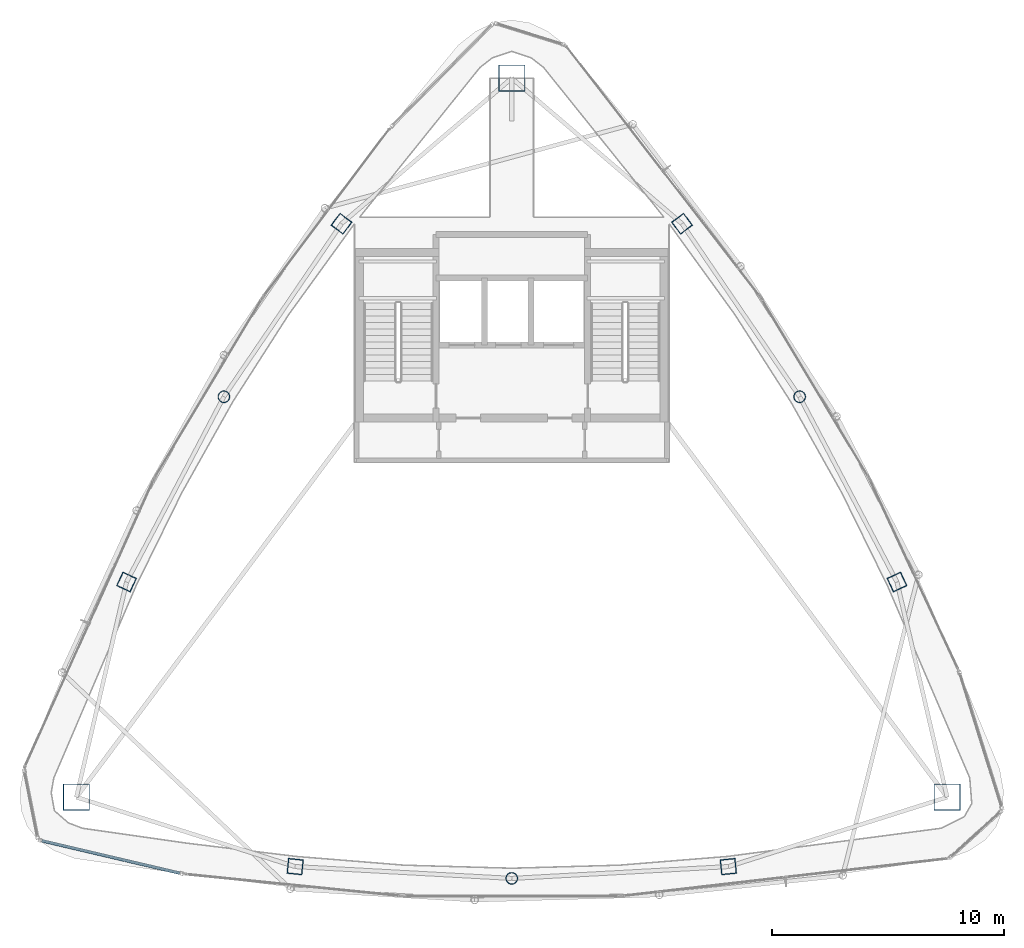
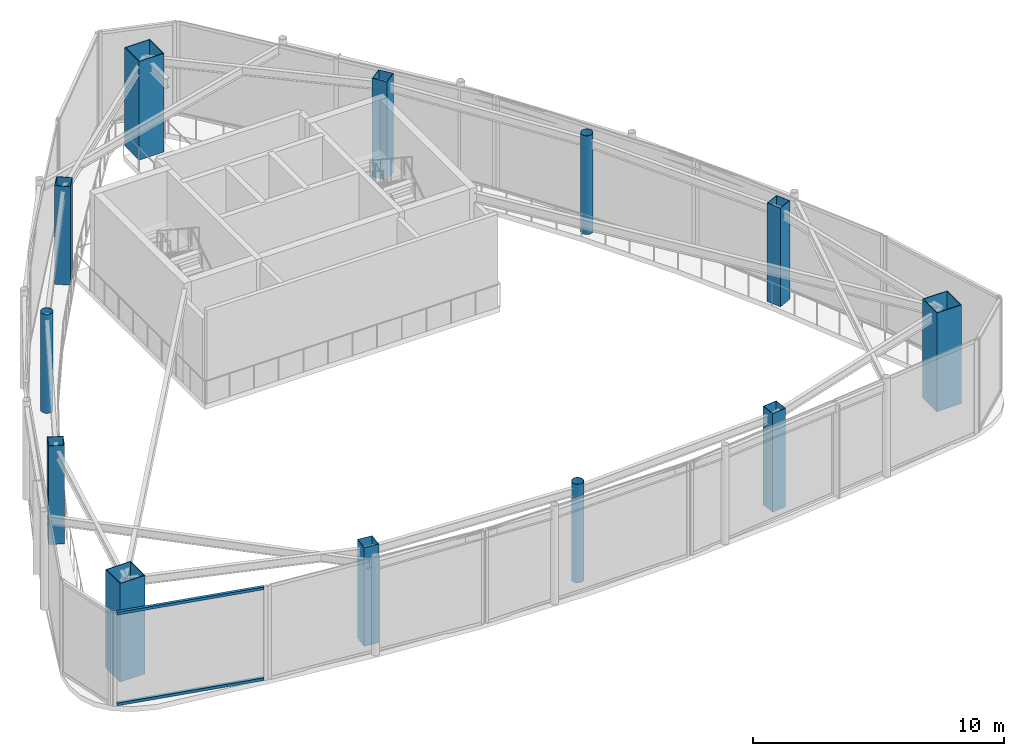
# One storey, part 1 of 19: 12 columns, 2 members, 1 element without a shape of its own.
"""IFC4 building model written with IfcOpenShell, lengths in metres."""

from ifc_helpers import new_model, si_unit, direction, frame, origin, origin_2d, place, context, subcontext, project, spatial, hollow_rectangle, hollow_circle, extrude, material, layer, layer_set, material_profile, profile_set, type_object, element, aggregate, save


model = new_model("IFC4")

# Units and contexts
model_context = context("Model", 3, precision=1e-05, world=origin(), true_north=direction((0.0, 1.0)))
body_context = subcontext(model_context, "Body", "Model", "MODEL_VIEW")
ifc_project = project(units=[si_unit("LENGTHUNIT", "METRE"), si_unit("AREAUNIT", "SQUARE_METRE"), si_unit("VOLUMEUNIT", "CUBIC_METRE"), si_unit("PLANEANGLEUNIT", "RADIAN"), si_unit("MASSUNIT", "GRAM", prefix="KILO")], contexts=[model_context])

# Site, building, storey
site_placement = place(None, origin())
site = spatial("IfcSite", under=ifc_project, at=site_placement, CompositionType="ELEMENT")
building_placement = place(site_placement, origin())
building = spatial("IfcBuilding", under=site, at=building_placement, Name="Orvanel Arch Residences", CompositionType="ELEMENT")
storey_placement = place(building_placement, frame((0.0, 0.0, 295.699951171875)))
storey = spatial("IfcBuildingStorey", under=building, at=storey_placement, Name="L83", CompositionType="ELEMENT", Elevation=295.699951171875)

# Columns
ifc_material_1 = material(Name="Structural steel AS/NZS 1163 C350L0 (Grade 350)", Category="steel")
ifc_material_profile_1 = material_profile(ifc_material_1, hollow_circle(Radius=0.25390625, WallThickness=0.01611328125, at=origin_2d()), Name="CHS508x16")
ifc_profile_set_1 = profile_set([ifc_material_profile_1], Name="Structural steel AS/NZS 1163 C350L0 (Grade 350)")
column_type_1 = type_object("IfcColumnType", Name="CC-508", PredefinedType="COLUMN", material=ifc_profile_set_1)
for number, where, z_axis, x_axis, name in (
    (1, (20.569091796875, 27.64111328125, 0.0), (0.0, 0.0, 1.0), (1.0, 0.0, 0.0), "L83 High-Rise Tube Column 02"),
    (2, (33.0, 6.843994140625, 0.0), (0.0, 0.0, 1.0), (1.0, 0.0, 0.0), "L83 High-Rise Tube Column 05"),
    (3, (45.430908203125, 27.64111328125, 0.0), (0.0, 0.0, 1.0), (1.0, 0.0, 0.0), "L83 High-Rise Tube Column 08"),
):
    element("IfcColumn", number, at=place(storey_placement, frame(where, z_axis=z_axis, x_axis=x_axis)), inside=storey, type_object=column_type_1, Name=name, PredefinedType="COLUMN", context=body_context, shape_type="SweptSolid", body=[
        extrude(hollow_circle(Radius=0.25390625, WallThickness=0.01611328125, at=origin_2d()), origin(), (0.0, 0.0, 1.0), 4.800048828125),
    ])
ifc_material_2 = material(Name="Structural steel AS/NZS 3678 Grade 450", Category="steel")
ifc_material_profile_2 = material_profile(ifc_material_2, hollow_rectangle(XDim=1.14990234375, YDim=1.14990234375, WallThickness=0.035888671875, at=origin_2d()), Name="BOX1150x1150x36")
ifc_profile_set_2 = profile_set([ifc_material_profile_2], Name="Structural steel AS/NZS 3678 Grade 450")
column_type_2 = type_object("IfcColumnType", Name="MC-1150", PredefinedType="COLUMN", material=ifc_profile_set_2)
for number, where, z_axis, x_axis, name in (
    (4, (33.0, 41.39794921875, 0.0), (0.0, 0.0, 1.0), (1.0, 0.0, 0.0), "L83 Corner Mega-Column 1"),
    (5, (14.198974609375, 10.35107421875, 0.0), (0.0, 0.0, 1.0), (1.0, 0.0, 0.0), "L83 Corner Mega-Column 2"),
    (6, (51.801025390625, 10.35107421875, 0.0), (0.0, 0.0, 1.0), (1.0, 0.0, 0.0), "L83 Corner Mega-Column 3"),
):
    element("IfcColumn", number, at=place(storey_placement, frame(where, z_axis=z_axis, x_axis=x_axis)), inside=storey, type_object=column_type_2, Name=name, PredefinedType="COLUMN", context=body_context, shape_type="SweptSolid", body=[
        extrude(hollow_rectangle(XDim=1.14990234375, YDim=1.14990234375, WallThickness=0.035888671875, at=origin_2d()), origin(), (0.0, 0.0, 1.0), 4.800048828125),
    ])
ifc_material_3 = material(Name="Structural steel AS/NZS 3678 Grade 350", Category="steel")
ifc_material_profile_3 = material_profile(ifc_material_3, hollow_rectangle(XDim=0.64990234375, YDim=0.64990234375, WallThickness=0.02197265625, at=origin_2d()), Name="BOX650x650x22")
ifc_profile_set_3 = profile_set([ifc_material_profile_3], Name="Structural steel AS/NZS 3678 Grade 350")
column_type_3 = type_object("IfcColumnType", Name="TC-650", PredefinedType="COLUMN", material=ifc_profile_set_3)
for number, where, z_axis, x_axis, name in (
    (7, (25.64794921875, 35.113037109375, 0.0), (0.0, 0.0, 1.0), (0.600420225326, 0.799684658487, 0.0), "L83 High-Rise Tube Column 01"),
    (8, (16.366943359375, 19.64208984375, 0.0), (0.0, 0.0, 1.0), (0.422618261741, 0.906307787037, 0.0), "L83 High-Rise Tube Column 03"),
    (9, (23.64892578125, 7.35498046875, 0.0), (0.0, 0.0, 1.0), (-0.994880708829, 0.101056297183, 0.0), "L83 High-Rise Tube Column 04"),
    (10, (42.35107421875, 7.35498046875, 0.0), (0.0, 0.0, 1.0), (0.994880708829, 0.101056297183, 0.0), "L83 High-Rise Tube Column 06"),
    (11, (49.633056640625, 19.64208984375, 0.0), (0.0, 0.0, 1.0), (-0.422618261741, 0.906307787037, 0.0), "L83 High-Rise Tube Column 07"),
    (12, (40.35205078125, 35.113037109375, 0.0), (0.0, 0.0, 1.0), (-0.600420225326, 0.799684658487, 0.0), "L83 High-Rise Tube Column 09"),
):
    element("IfcColumn", number, at=place(storey_placement, frame(where, z_axis=z_axis, x_axis=x_axis)), inside=storey, type_object=column_type_3, Name=name, PredefinedType="COLUMN", context=body_context, shape_type="SweptSolid", body=[
        extrude(hollow_rectangle(XDim=0.64990234375, YDim=0.64990234375, WallThickness=0.02197265625, at=origin_2d()), origin(), (0.0, 0.0, 1.0), 4.800048828125),
    ])

# Curtain wall, members
ifc_material_4 = material(Name="Bronze-anodised aluminium AA6063-T6", Category="aluminium")
ifc_layer = layer(ifc_material_4, 0.2099609375)
ifc_layer_set = layer_set([ifc_layer], Name="Bronze-anodised aluminium AA6063-T6")
curtain_wall_type = type_object("IfcCurtainWallType", Name="CW7-TOP-SYS", PredefinedType="NOTDEFINED", material=ifc_layer_set)
curtain_wall_placement = place(storey_placement, origin())
curtain_wall = element("IfcCurtainWall", 13, at=curtain_wall_placement, inside=storey, type_object=curtain_wall_type, Name="L83 CW7-TOP-SYS Unitised Curtain Wall", PredefinedType="NOTDEFINED")
ifc_material_profile_4 = material_profile(ifc_material_4, hollow_rectangle(XDim=0.1298828125, YDim=0.1298828125, WallThickness=0.00439453125, at=origin_2d()), Name="ALU130x130x4.5")
ifc_profile_set_4 = profile_set([ifc_material_profile_4], Name="Bronze-anodised aluminium AA6063-T6")
member_type = type_object("IfcMemberType", Name="TRN-130x130", PredefinedType="USERDEFINED", material=ifc_profile_set_4)
member_1_placement = place(storey_placement, frame((12.7060546875, 8.47265625, 0.06494140625), z_axis=(0.973511117585, -0.228639681462, 0.0), x_axis=(0.228639681462, 0.973511117585, 0.0)))
member_1 = element("IfcMember", 14, at=member_1_placement, type_object=member_type, Name="CW-S7 transom 1.1", ObjectType="TRANSOM", PredefinedType="USERDEFINED", context=body_context, shape_type="SweptSolid", body=[
    extrude(hollow_rectangle(XDim=0.1298828125, YDim=0.1298828125, WallThickness=0.00439453125, at=origin_2d()), origin(), (0.0, 0.0, 1.0), 6.129150390625),
])
member_2_placement = place(storey_placement, frame((12.7060546875, 8.47265625, 4.485107421875), z_axis=(0.973511117585, -0.228639681462, 0.0), x_axis=(0.228639681462, 0.973511117585, 0.0)))
member_2 = element("IfcMember", 15, at=member_2_placement, type_object=member_type, Name="CW-S7 transom 1.2", ObjectType="TRANSOM", PredefinedType="USERDEFINED", context=body_context, shape_type="SweptSolid", body=[
    extrude(hollow_rectangle(XDim=0.1298828125, YDim=0.1298828125, WallThickness=0.00439453125, at=origin_2d()), origin(), (0.0, 0.0, 1.0), 6.129150390625),
])
aggregate(curtain_wall, [member_1, member_2])

save(model, "model.ifc")
